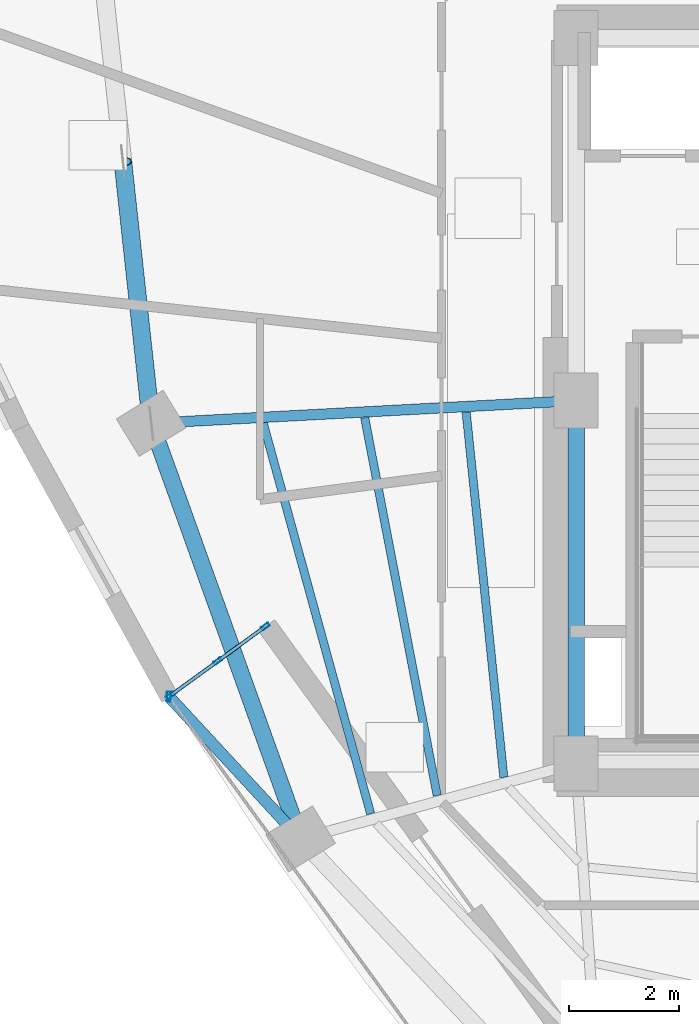
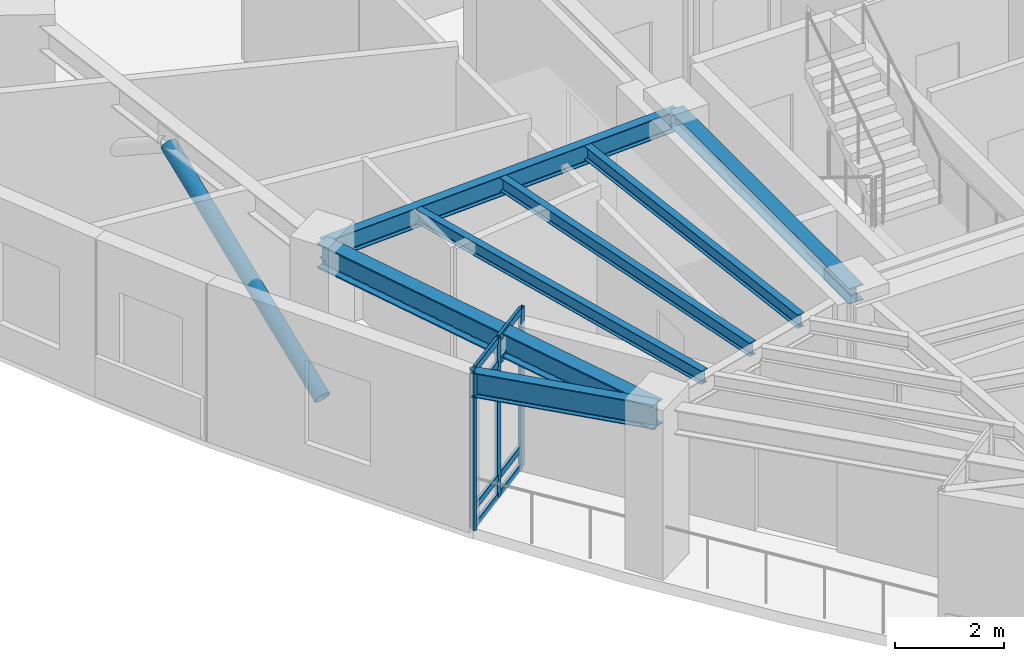
# One storey, part 4 of 13: 13 members, 7 beams, 1 element without a shape of its own.
"""IFC4 building model written with IfcOpenShell, lengths in metres."""

from ifc_helpers import new_model, si_unit, direction, frame, origin, origin_2d, place, context, subcontext, project, spatial, hollow_rectangle, hollow_circle, i_section, extrude, material, layer, layer_set, material_profile, profile_set, type_object, element, aggregate, save


model = new_model("IFC4")

# Units and contexts
model_context = context("Model", 3, precision=1e-05, world=origin(), true_north=direction((0.0, 1.0)))
body_context = subcontext(model_context, "Body", "Model", "MODEL_VIEW")
ifc_project = project(units=[si_unit("LENGTHUNIT", "METRE"), si_unit("AREAUNIT", "SQUARE_METRE"), si_unit("VOLUMEUNIT", "CUBIC_METRE"), si_unit("PLANEANGLEUNIT", "RADIAN"), si_unit("MASSUNIT", "GRAM", prefix="KILO")], contexts=[model_context])

# Site, building, storey
site_placement = place(None, origin())
site = spatial("IfcSite", under=ifc_project, at=site_placement, CompositionType="ELEMENT")
building_placement = place(site_placement, origin())
building = spatial("IfcBuilding", under=site, at=building_placement, Name="Ndelora Gate Hotel", CompositionType="ELEMENT")
storey_placement = place(building_placement, frame((0.0, 0.0, 235.949951171875)))
storey = spatial("IfcBuildingStorey", under=building, at=storey_placement, Name="L59", CompositionType="ELEMENT", Elevation=235.949951171875)

# Beams
ifc_material_1 = material(Name="Steel S355", Category="steel")
ifc_material_profile_1 = material_profile(ifc_material_1, i_section(OverallWidth=0.300048828125, OverallDepth=0.35009765625, WebThickness=0.010009765625, FlangeThickness=0.017578125, FilletRadius=0.027099609375, at=origin_2d()), Name="HEA 360")
ifc_profile_set_1 = profile_set([ifc_material_profile_1], Name="Steel S355")
beam_type_1 = type_object("IfcBeamType", Name="BM-CORE-350", PredefinedType="BEAM", material=ifc_profile_set_1)
beam_1_placement = place(storey_placement, frame((-8.0, -6.60009765625, 3.375), z_axis=(0.0, 1.0, 0.0), x_axis=(-1.0, 0.0, 0.0)))
element("IfcBeam", 1, at=beam_1_placement, inside=storey, type_object=beam_type_1, Name="L59 Core Tie Girder CC1-CC8", PredefinedType="BEAM", context=body_context, shape_type="SweptSolid", body=[
    extrude(i_section(OverallWidth=0.300048828125, OverallDepth=0.35009765625, WebThickness=0.010009765625, FlangeThickness=0.017578125, FilletRadius=0.027099609375, at=origin_2d()), origin(), (0.0, 0.0, 1.0), 6.60009765625),
])
ifc_material_profile_2 = material_profile(ifc_material_1, i_section(OverallWidth=0.14990234375, OverallDepth=0.300048828125, WebThickness=0.007080078125, FlangeThickness=0.0107421875, FilletRadius=0.014892578125, at=origin_2d()), Name="IPE 300")
ifc_profile_set_2 = profile_set([ifc_material_profile_2], Name="Steel S355")
beam_type_2 = type_object("IfcBeamType", Name="BM-JST-300", PredefinedType="JOIST", material=ifc_profile_set_2)
beam_2_placement = place(storey_placement, frame((-9.9990234375, -0.21142578125, 3.400146484375), z_axis=(0.10260596827, -0.994722079415, 0.0), x_axis=(0.994722079415, 0.10260596827, 0.0)))
element("IfcBeam", 2, at=beam_2_placement, inside=storey, type_object=beam_type_2, Name="L59 Secondary Composite Floor Joist IN-2", PredefinedType="JOIST", context=body_context, shape_type="SweptSolid", body=[
    extrude(i_section(OverallWidth=0.14990234375, OverallDepth=0.300048828125, WebThickness=0.007080078125, FlangeThickness=0.0107421875, FilletRadius=0.014892578125, at=origin_2d()), origin(), (0.0, 0.0, 1.0), 6.676513671875),
])
beam_3_placement = place(storey_placement, frame((-11.84521484375, -0.30908203125, 3.400146484375), z_axis=(0.188470955684, -0.982078764083, 0.0), x_axis=(0.982078764083, 0.188470955684, 0.0)))
element("IfcBeam", 3, at=beam_3_placement, inside=storey, type_object=beam_type_2, Name="L59 Secondary Composite Floor Joist MID-2", PredefinedType="JOIST", context=body_context, shape_type="SweptSolid", body=[
    extrude(i_section(OverallWidth=0.14990234375, OverallDepth=0.300048828125, WebThickness=0.007080078125, FlangeThickness=0.0107421875, FilletRadius=0.014892578125, at=origin_2d()), origin(), (0.0, 0.0, 1.0), 7.000244140625),
])
beam_4_placement = place(storey_placement, frame((-13.6923828125, -0.406005859375, 3.400146484375), z_axis=(0.2652180483, -0.964188460238, 0.0), x_axis=(0.964188460238, 0.2652180483, 0.0)))
element("IfcBeam", 4, at=beam_4_placement, inside=storey, type_object=beam_type_2, Name="L59 Secondary Composite Floor Joist OUT-2", PredefinedType="JOIST", context=body_context, shape_type="SweptSolid", body=[
    extrude(i_section(OverallWidth=0.14990234375, OverallDepth=0.300048828125, WebThickness=0.007080078125, FlangeThickness=0.0107421875, FilletRadius=0.014892578125, at=origin_2d()), origin(), (0.0, 0.0, 1.0), 7.37353515625),
])
ifc_material_profile_3 = material_profile(ifc_material_1, i_section(OverallWidth=0.18994140625, OverallDepth=0.449951171875, WebThickness=0.009521484375, FlangeThickness=0.0146484375, FilletRadius=0.02099609375, at=origin_2d()), Name="IPE 450")
ifc_profile_set_3 = profile_set([ifc_material_profile_3], Name="Steel S355")
beam_type_3 = type_object("IfcBeamType", Name="BM-RAD-450", PredefinedType="BEAM", material=ifc_profile_set_3)
beam_5_placement = place(storey_placement, frame((-8.0, 0.0, 3.324951171875), z_axis=(-0.998583554121, -0.053206065814, 0.0), x_axis=(0.053206065814, -0.998583554121, 0.0)))
element("IfcBeam", 5, at=beam_5_placement, inside=storey, type_object=beam_type_3, Name="L59 Radial Floor Girder 2", PredefinedType="BEAM", context=body_context, shape_type="SweptSolid", body=[
    extrude(i_section(OverallWidth=0.18994140625, OverallDepth=0.449951171875, WebThickness=0.009521484375, FlangeThickness=0.0146484375, FilletRadius=0.02099609375, at=origin_2d()), origin(), (0.0, 0.0, 1.0), 7.740966796875),
])
ifc_material_profile_4 = material_profile(ifc_material_1, i_section(OverallWidth=0.2099609375, OverallDepth=0.550048828125, WebThickness=0.010986328125, FlangeThickness=0.01708984375, FilletRadius=0.02392578125, at=origin_2d()), Name="IPE 550")
ifc_profile_set_4 = profile_set([ifc_material_profile_4], Name="Steel S355")
beam_type_4 = type_object("IfcBeamType", Name="BM-RAD-550", PredefinedType="BEAM", material=ifc_profile_set_4)
beam_6_placement = place(storey_placement, frame((-13.011962890625, -7.973876953125, 3.275146484375), z_axis=(-0.679096061615, 0.734049411892, 0.0), x_axis=(-0.734049411892, -0.679096061615, 0.0)))
element("IfcBeam", 6, at=beam_6_placement, inside=storey, type_object=beam_type_4, Name="L59 Sky-Garden Loggia Column Bracket 1", PredefinedType="BEAM", context=body_context, shape_type="SweptSolid", body=[
    extrude(i_section(OverallWidth=0.2099609375, OverallDepth=0.550048828125, WebThickness=0.010986328125, FlangeThickness=0.01708984375, FilletRadius=0.02392578125, at=origin_2d()), origin(), (0.0, 0.0, 1.0), 3.527587890625),
])
ifc_material_profile_5 = material_profile(ifc_material_1, i_section(OverallWidth=0.300048828125, OverallDepth=0.550048828125, WebThickness=0.014892578125, FlangeThickness=0.029052734375, FilletRadius=0.027099609375, at=origin_2d()), Name="HEB 550")
ifc_profile_set_5 = profile_set([ifc_material_profile_5], Name="Steel S355")
beam_type_5 = type_object("IfcBeamType", Name="BM-RING-550", PredefinedType="SPANDREL", material=ifc_profile_set_5)
beam_7_placement = place(storey_placement, frame((-15.72998046875, -0.411865234375, 3.275146484375), z_axis=(0.338244972382, -0.941058095262, 0.0), x_axis=(0.941058095262, 0.338244972382, 0.0)))
element("IfcBeam", 7, at=beam_7_placement, inside=storey, type_object=beam_type_5, Name="L59 Perimeter Spandrel Girder 2", PredefinedType="SPANDREL", context=body_context, shape_type="SweptSolid", body=[
    extrude(i_section(OverallWidth=0.300048828125, OverallDepth=0.550048828125, WebThickness=0.014892578125, FlangeThickness=0.029052734375, FilletRadius=0.027099609375, at=origin_2d()), origin(), (0.0, 0.0, 1.0), 8.03564453125),
])

# Curtain wall, members
ifc_material_2 = material(Name="Bronze Anodised Unitised Aluminium and Low-E Glass", Category="aluminium")
ifc_layer = layer(ifc_material_2, 0.199951171875)
ifc_layer_set = layer_set([ifc_layer], Name="Bronze Anodised Unitised Aluminium and Low-E Glass")
curtain_wall_type = type_object("IfcCurtainWallType", Name="CW-SYS-3", PredefinedType="NOTDEFINED", material=ifc_layer_set)
curtain_wall_placement = place(storey_placement, origin())
curtain_wall = element("IfcCurtainWall", 8, at=curtain_wall_placement, inside=storey, type_object=curtain_wall_type, Name="L59 Sky-Garden Loggia Side Curtain Wall CW3-1", PredefinedType="NOTDEFINED")
ifc_material_3 = material(Name="Bronze Anodised Aluminium 6063-T6", Category="aluminium")
ifc_material_profile_6 = material_profile(ifc_material_3, hollow_rectangle(XDim=0.06494140625, YDim=0.159912109375, WallThickness=0.00390625, InnerFilletRadius=0.00390625, OuterFilletRadius=0.008056640625, at=origin_2d()), Name="ALU 160x65x4")
ifc_profile_set_6 = profile_set([ifc_material_profile_6], Name="Bronze Anodised Aluminium 6063-T6")
member_type_1 = type_object("IfcMemberType", Name="MB-CW-MUL150", PredefinedType="MULLION", material=ifc_profile_set_6)
member_1_placement = place(storey_placement, frame((-13.65380859375, -4.110595703125, -0.00390625), z_axis=(0.0, 0.0, 1.0), x_axis=(0.587785135859, -0.809017078969, 0.0)))
member_1 = element("IfcMember", 9, at=member_1_placement, type_object=member_type_1, Name="CW3 mullion 1", PredefinedType="MULLION", context=body_context, shape_type="SweptSolid", body=[
    extrude(hollow_rectangle(XDim=0.06494140625, YDim=0.159912109375, WallThickness=0.00390625, InnerFilletRadius=0.00390625, OuterFilletRadius=0.008056640625, at=origin_2d()), origin(), (0.0, 0.0, 1.0), 3.557861328125),
])
member_2_placement = place(storey_placement, frame((-14.517578125, -4.738037109375, -0.00390625), z_axis=(0.0, 0.0, 1.0), x_axis=(0.587785135859, -0.809017078969, 0.0)))
member_2 = element("IfcMember", 10, at=member_2_placement, type_object=member_type_1, Name="CW3 mullion 2", PredefinedType="MULLION", context=body_context, shape_type="SweptSolid", body=[
    extrude(hollow_rectangle(XDim=0.06494140625, YDim=0.159912109375, WallThickness=0.00390625, InnerFilletRadius=0.00390625, OuterFilletRadius=0.008056640625, at=origin_2d()), origin(), (0.0, 0.0, 1.0), 3.557861328125),
])
member_3_placement = place(storey_placement, frame((-15.381103515625, -5.365478515625, -0.00390625), z_axis=(0.0, 0.0, 1.0), x_axis=(0.587785135859, -0.809017078969, 0.0)))
member_3 = element("IfcMember", 11, at=member_3_placement, type_object=member_type_1, Name="CW3 mullion 3", PredefinedType="MULLION", context=body_context, shape_type="SweptSolid", body=[
    extrude(hollow_rectangle(XDim=0.06494140625, YDim=0.159912109375, WallThickness=0.00390625, InnerFilletRadius=0.00390625, OuterFilletRadius=0.008056640625, at=origin_2d()), origin(), (0.0, 0.0, 1.0), 3.557861328125),
])
ifc_material_profile_7 = material_profile(ifc_material_3, hollow_rectangle(XDim=0.070068359375, YDim=0.179931640625, WallThickness=0.0048828125, InnerFilletRadius=0.0048828125, OuterFilletRadius=0.010009765625, at=origin_2d()), Name="ALU 180x70x5")
ifc_profile_set_7 = profile_set([ifc_material_profile_7], Name="Bronze Anodised Aluminium 6063-T6")
member_type_2 = type_object("IfcMemberType", Name="MB-CW-MUL180", PredefinedType="MULLION", material=ifc_profile_set_7)
member_4_placement = place(storey_placement, frame((-15.407470703125, -5.384521484375, 0.0), z_axis=(0.0, 0.0, 1.0), x_axis=(1.0, 0.0, 0.0)))
member_4 = element("IfcMember", 12, at=member_4_placement, type_object=member_type_2, Name="L59 Sky-Garden Loggia Corner Mullion Post 1", PredefinedType="MULLION", context=body_context, shape_type="SweptSolid", body=[
    extrude(hollow_rectangle(XDim=0.070068359375, YDim=0.179931640625, WallThickness=0.0048828125, InnerFilletRadius=0.0048828125, OuterFilletRadius=0.010009765625, at=origin_2d()), origin(), (0.0, 0.0, 1.0), 3.550048828125),
])
ifc_material_profile_8 = material_profile(ifc_material_3, hollow_rectangle(XDim=0.06494140625, YDim=0.159912109375, WallThickness=0.00390625, InnerFilletRadius=0.00390625, OuterFilletRadius=0.008056640625, at=origin_2d()), Name="ALU 160x65x4")
ifc_profile_set_8 = profile_set([ifc_material_profile_8], Name="Bronze Anodised Aluminium 6063-T6")
member_type_3 = type_object("IfcMemberType", Name="MB-CW-TRN150", PredefinedType="USERDEFINED", material=ifc_profile_set_8)
member_5_placement = place(storey_placement, frame((-13.67529296875, -4.126220703125, 0.032470703125), z_axis=(-0.809089769205, -0.58768507329, 0.0), x_axis=(0.58768507329, -0.809089769205, 0.0)))
member_5 = element("IfcMember", 13, at=member_5_placement, type_object=member_type_3, Name="CW3 transom 1.1", ObjectType="TRANSOM", PredefinedType="USERDEFINED", context=body_context, shape_type="SweptSolid", body=[
    extrude(hollow_rectangle(XDim=0.06494140625, YDim=0.159912109375, WallThickness=0.00390625, InnerFilletRadius=0.00390625, OuterFilletRadius=0.008056640625, at=origin_2d()), origin(), (0.0, 0.0, 1.0), 1.014404296875),
])
member_6_placement = place(storey_placement, frame((-13.67529296875, -4.126220703125, 0.449951171875), z_axis=(-0.809089769205, -0.58768507329, 0.0), x_axis=(0.58768507329, -0.809089769205, 0.0)))
member_6 = element("IfcMember", 14, at=member_6_placement, type_object=member_type_3, Name="CW3 transom 1.2", ObjectType="TRANSOM", PredefinedType="USERDEFINED", context=body_context, shape_type="SweptSolid", body=[
    extrude(hollow_rectangle(XDim=0.06494140625, YDim=0.159912109375, WallThickness=0.00390625, InnerFilletRadius=0.00390625, OuterFilletRadius=0.008056640625, at=origin_2d()), origin(), (0.0, 0.0, 1.0), 1.014404296875),
])
member_7_placement = place(storey_placement, frame((-13.67529296875, -4.126220703125, 3.0), z_axis=(-0.809089769205, -0.58768507329, 0.0), x_axis=(0.58768507329, -0.809089769205, 0.0)))
member_7 = element("IfcMember", 15, at=member_7_placement, type_object=member_type_3, Name="CW3 transom 1.3", ObjectType="TRANSOM", PredefinedType="USERDEFINED", context=body_context, shape_type="SweptSolid", body=[
    extrude(hollow_rectangle(XDim=0.06494140625, YDim=0.159912109375, WallThickness=0.00390625, InnerFilletRadius=0.00390625, OuterFilletRadius=0.008056640625, at=origin_2d()), origin(), (0.0, 0.0, 1.0), 1.014404296875),
])
member_8_placement = place(storey_placement, frame((-13.67529296875, -4.126220703125, 3.517578125), z_axis=(-0.809089769205, -0.58768507329, 0.0), x_axis=(0.58768507329, -0.809089769205, 0.0)))
member_8 = element("IfcMember", 16, at=member_8_placement, type_object=member_type_3, Name="CW3 transom 1.4", ObjectType="TRANSOM", PredefinedType="USERDEFINED", context=body_context, shape_type="SweptSolid", body=[
    extrude(hollow_rectangle(XDim=0.06494140625, YDim=0.159912109375, WallThickness=0.00390625, InnerFilletRadius=0.00390625, OuterFilletRadius=0.008056640625, at=origin_2d()), origin(), (0.0, 0.0, 1.0), 1.014404296875),
])
member_9_placement = place(storey_placement, frame((-14.538818359375, -4.753662109375, 0.032470703125), z_axis=(-0.809089769205, -0.58768507329, 0.0), x_axis=(0.58768507329, -0.809089769205, 0.0)))
member_9 = element("IfcMember", 17, at=member_9_placement, type_object=member_type_3, Name="CW3 transom 2.1", ObjectType="TRANSOM", PredefinedType="USERDEFINED", context=body_context, shape_type="SweptSolid", body=[
    extrude(hollow_rectangle(XDim=0.06494140625, YDim=0.159912109375, WallThickness=0.00390625, InnerFilletRadius=0.00390625, OuterFilletRadius=0.008056640625, at=origin_2d()), origin(), (0.0, 0.0, 1.0), 1.014404296875),
])
member_10_placement = place(storey_placement, frame((-14.538818359375, -4.753662109375, 0.449951171875), z_axis=(-0.809089769205, -0.58768507329, 0.0), x_axis=(0.58768507329, -0.809089769205, 0.0)))
member_10 = element("IfcMember", 18, at=member_10_placement, type_object=member_type_3, Name="CW3 transom 2.2", ObjectType="TRANSOM", PredefinedType="USERDEFINED", context=body_context, shape_type="SweptSolid", body=[
    extrude(hollow_rectangle(XDim=0.06494140625, YDim=0.159912109375, WallThickness=0.00390625, InnerFilletRadius=0.00390625, OuterFilletRadius=0.008056640625, at=origin_2d()), origin(), (0.0, 0.0, 1.0), 1.014404296875),
])
member_11_placement = place(storey_placement, frame((-14.538818359375, -4.753662109375, 3.0), z_axis=(-0.809089769205, -0.58768507329, 0.0), x_axis=(0.58768507329, -0.809089769205, 0.0)))
member_11 = element("IfcMember", 19, at=member_11_placement, type_object=member_type_3, Name="CW3 transom 2.3", ObjectType="TRANSOM", PredefinedType="USERDEFINED", context=body_context, shape_type="SweptSolid", body=[
    extrude(hollow_rectangle(XDim=0.06494140625, YDim=0.159912109375, WallThickness=0.00390625, InnerFilletRadius=0.00390625, OuterFilletRadius=0.008056640625, at=origin_2d()), origin(), (0.0, 0.0, 1.0), 1.014404296875),
])
member_12_placement = place(storey_placement, frame((-14.538818359375, -4.753662109375, 3.517578125), z_axis=(-0.809089769205, -0.58768507329, 0.0), x_axis=(0.58768507329, -0.809089769205, 0.0)))
member_12 = element("IfcMember", 20, at=member_12_placement, type_object=member_type_3, Name="CW3 transom 2.4", ObjectType="TRANSOM", PredefinedType="USERDEFINED", context=body_context, shape_type="SweptSolid", body=[
    extrude(hollow_rectangle(XDim=0.06494140625, YDim=0.159912109375, WallThickness=0.00390625, InnerFilletRadius=0.00390625, OuterFilletRadius=0.008056640625, at=origin_2d()), origin(), (0.0, 0.0, 1.0), 1.014404296875),
])
aggregate(curtain_wall, [member_1, member_2, member_3, member_5, member_6, member_7, member_8, member_9, member_10, member_11, member_12, member_4])

# Member
ifc_material_profile_9 = material_profile(ifc_material_1, hollow_circle(Radius=0.161865234375, WallThickness=0.01611328125, at=origin_2d()), Name="CHS 323.9x16")
ifc_profile_set_9 = profile_set([ifc_material_profile_9], Name="Steel S355")
member_type_4 = type_object("IfcMemberType", Name="MB-TUBE-324", PredefinedType="BRACE", material=ifc_profile_set_9)
member_13_placement = place(storey_placement, frame((-15.72998046875, -0.411865234375, 0.02001953125), z_axis=(-0.091316139457, 0.843851231796, 0.528749904276), x_axis=(-0.994195839876, -0.107585463576, 0.0)))
element("IfcMember", 21, at=member_13_placement, inside=storey, type_object=member_type_4, Name="L59 Perimeter Braced-Tube Diagonal 1B", PredefinedType="BRACE", context=body_context, shape_type="SweptSolid", body=[
    extrude(hollow_circle(Radius=0.161865234375, WallThickness=0.01611328125, at=origin_2d()), origin(), (0.0, 0.0, 1.0), 5.635986328125),
])

save(model, "model.ifc")
